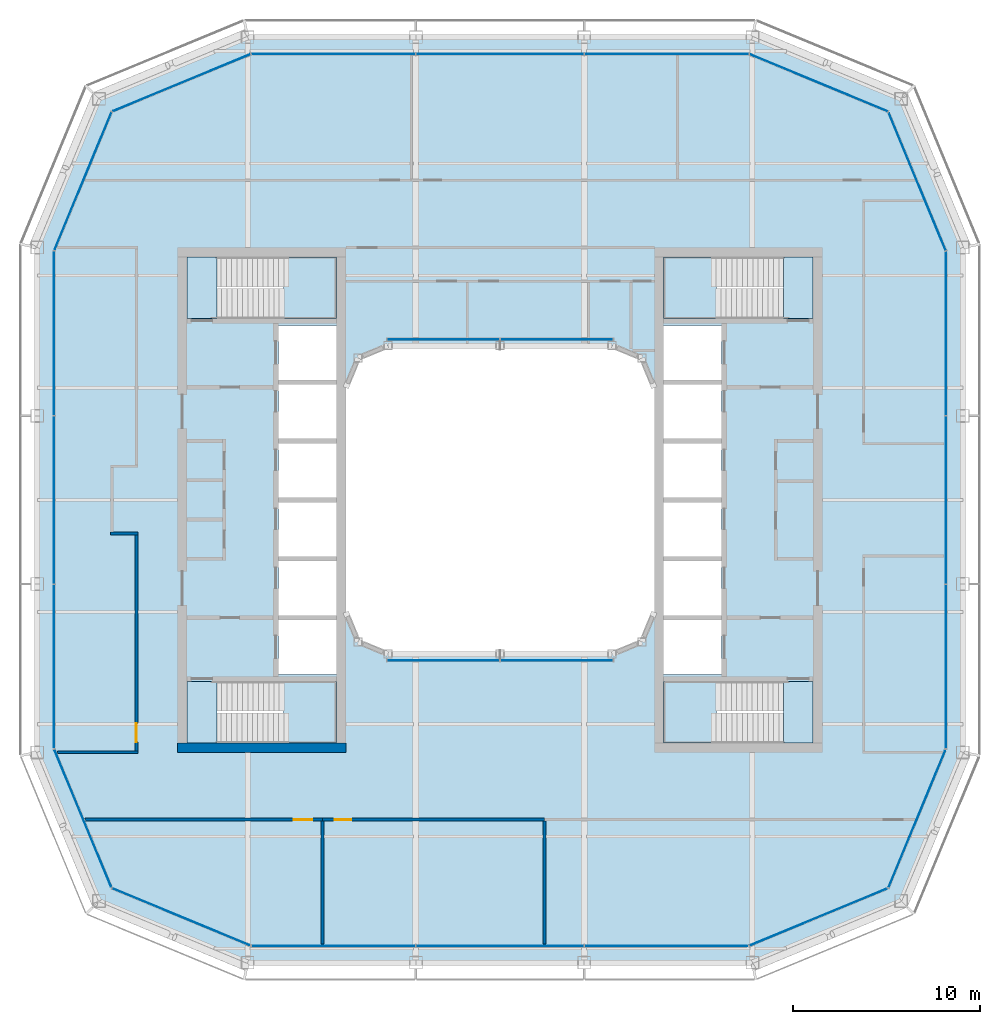
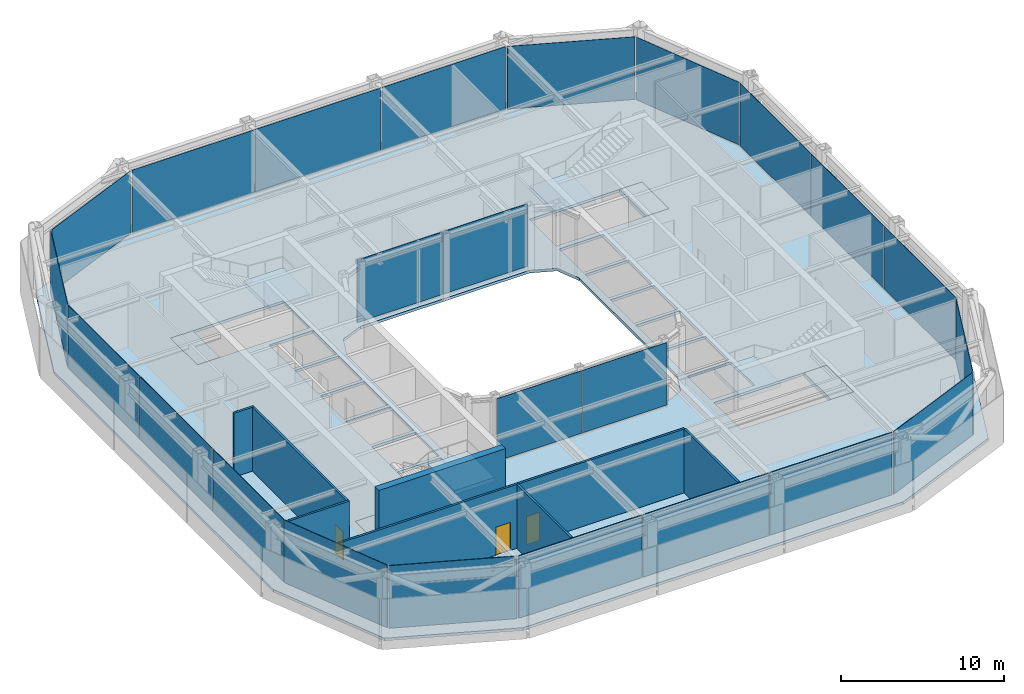
# One storey, part 10 of 17: 24 plates, 9 slabs, 8 walls, 3 doors, 3 openings, 18 elements without a shape of their own.
"""IFC4 building model written with IfcOpenShell, lengths in metres."""

from ifc_helpers import new_model, si_unit, direction, frame, frame_2d, origin, origin_2d, place, context, subcontext, project, spatial, polyline, rectangle, outline, extrude, material, layer, layer_set, type_object, element, fill, aggregate, save


model = new_model("IFC4")

# Units and contexts
model_context = context("Model", 3, precision=1e-05, world=origin(), true_north=direction((0.0, 1.0)))
body_context = subcontext(model_context, "Body", "Model", "MODEL_VIEW")
ifc_project = project(units=[si_unit("LENGTHUNIT", "METRE"), si_unit("AREAUNIT", "SQUARE_METRE"), si_unit("VOLUMEUNIT", "CUBIC_METRE"), si_unit("PLANEANGLEUNIT", "RADIAN"), si_unit("MASSUNIT", "GRAM", prefix="KILO")], contexts=[model_context])

# Site, building, storey
site_placement = place(None, origin())
site = spatial("IfcSite", under=ifc_project, at=site_placement, CompositionType="ELEMENT")
building_placement = place(site_placement, origin())
building = spatial("IfcBuilding", under=site, at=building_placement, Name="Siwar Civic Tower", CompositionType="ELEMENT")
storey_placement = place(building_placement, frame((0.0, 0.0, 348.199951171875)))
storey = spatial("IfcBuildingStorey", under=building, at=storey_placement, Name="L75", CompositionType="ELEMENT", Elevation=348.199951171875)

# Stair, slabs
ifc_material_1 = material(Name="Concrete C40/50", Category="concrete")
stair_type = type_object("IfcStairType", Name="CORE-STAIR", PredefinedType="TWO_STRAIGHT_RUN_STAIR", material=ifc_material_1)
stair_1_placement = place(storey_placement, origin())
stair_1 = element("IfcStair", 1, at=stair_1_placement, inside=storey, type_object=stair_type, Name="Exit stair ST1", PredefinedType="TWO_STRAIGHT_RUN_STAIR")
ifc_material_2 = material(Name="Concrete C40/50", Category="concrete")
ifc_layer_1 = layer(ifc_material_2, 0.300048828125)
ifc_layer_set_1 = layer_set([ifc_layer_1], Name="Concrete C40/50")
slab_type_1 = type_object("IfcSlabType", Name="CORE-STAIR-LANDING", PredefinedType="LANDING", material=ifc_layer_set_1)
slab_1_placement = place(storey_placement, frame((0.0, 0.0, -0.300048828125)))
slab_1 = element("IfcSlab", 2, at=slab_1_placement, type_object=slab_type_1, Name="ST1 landing 1", PredefinedType="LANDING", context=body_context, shape_type="SweptSolid", body=[
    extrude(outline(polyline([(-15.14990234375, 13.0), (-16.75, 13.0), (-16.75, 9.699951171875), (-15.14990234375, 9.699951171875), (-15.14990234375, 13.0)])), origin(), (0.0, 0.0, 1.0), 0.300048828125),
])
slab_2_placement = place(storey_placement, frame((0.0, 0.0, 2.199951171875)))
slab_2 = element("IfcSlab", 3, at=slab_2_placement, type_object=slab_type_1, Name="ST1 landing 2", PredefinedType="LANDING", context=body_context, shape_type="SweptSolid", body=[
    extrude(outline(polyline([(-8.75, 13.0), (-11.580078125, 13.0), (-11.580078125, 9.699951171875), (-8.75, 9.699951171875), (-8.75, 13.0)])), origin(), (0.0, 0.0, 1.0), 0.300048828125),
])
aggregate(stair_1, [slab_1, slab_2])

stair_2_placement = place(storey_placement, origin())
stair_2 = element("IfcStair", 4, at=stair_2_placement, inside=storey, type_object=stair_type, Name="Exit stair ST2", PredefinedType="TWO_STRAIGHT_RUN_STAIR")
slab_3_placement = place(storey_placement, frame((0.0, 0.0, -0.300048828125)))
slab_3 = element("IfcSlab", 5, at=slab_3_placement, type_object=slab_type_1, Name="ST2 landing 1", PredefinedType="LANDING", context=body_context, shape_type="SweptSolid", body=[
    extrude(outline(polyline([(-15.14990234375, -9.699951171875), (-16.75, -9.699951171875), (-16.75, -13.0), (-15.14990234375, -13.0), (-15.14990234375, -9.699951171875)])), origin(), (0.0, 0.0, 1.0), 0.300048828125),
])
slab_4_placement = place(storey_placement, frame((0.0, 0.0, 2.199951171875)))
slab_4 = element("IfcSlab", 6, at=slab_4_placement, type_object=slab_type_1, Name="ST2 landing 2", PredefinedType="LANDING", context=body_context, shape_type="SweptSolid", body=[
    extrude(outline(polyline([(-8.75, -9.699951171875), (-11.580078125, -9.699951171875), (-11.580078125, -13.0), (-8.75, -13.0), (-8.75, -9.699951171875)])), origin(), (0.0, 0.0, 1.0), 0.300048828125),
])
aggregate(stair_2, [slab_3, slab_4])

stair_3_placement = place(storey_placement, origin())
stair_3 = element("IfcStair", 7, at=stair_3_placement, inside=storey, type_object=stair_type, Name="Exit stair ST3", PredefinedType="TWO_STRAIGHT_RUN_STAIR")
slab_5_placement = place(storey_placement, frame((0.0, 0.0, -0.300048828125)))
slab_5 = element("IfcSlab", 8, at=slab_5_placement, type_object=slab_type_1, Name="ST3 landing 1", PredefinedType="LANDING", context=body_context, shape_type="SweptSolid", body=[
    extrude(outline(polyline([(15.14990234375, 9.699951171875), (16.75, 9.699951171875), (16.75, 13.0), (15.14990234375, 13.0), (15.14990234375, 9.699951171875)])), origin(), (0.0, 0.0, 1.0), 0.300048828125),
])
slab_6_placement = place(storey_placement, frame((0.0, 0.0, 2.199951171875)))
slab_6 = element("IfcSlab", 9, at=slab_6_placement, type_object=slab_type_1, Name="ST3 landing 2", PredefinedType="LANDING", context=body_context, shape_type="SweptSolid", body=[
    extrude(outline(polyline([(8.75, 9.699951171875), (11.580078125, 9.699951171875), (11.580078125, 13.0), (8.75, 13.0), (8.75, 9.699951171875)])), origin(), (0.0, 0.0, 1.0), 0.300048828125),
])
aggregate(stair_3, [slab_5, slab_6])

stair_4_placement = place(storey_placement, origin())
stair_4 = element("IfcStair", 10, at=stair_4_placement, inside=storey, type_object=stair_type, Name="Exit stair ST4", PredefinedType="TWO_STRAIGHT_RUN_STAIR")
slab_7_placement = place(storey_placement, frame((0.0, 0.0, -0.300048828125)))
slab_7 = element("IfcSlab", 11, at=slab_7_placement, type_object=slab_type_1, Name="ST4 landing 1", PredefinedType="LANDING", context=body_context, shape_type="SweptSolid", body=[
    extrude(outline(polyline([(15.14990234375, -13.0), (16.75, -13.0), (16.75, -9.699951171875), (15.14990234375, -9.699951171875), (15.14990234375, -13.0)])), origin(), (0.0, 0.0, 1.0), 0.300048828125),
])
slab_8_placement = place(storey_placement, frame((0.0, 0.0, 2.199951171875)))
slab_8 = element("IfcSlab", 12, at=slab_8_placement, type_object=slab_type_1, Name="ST4 landing 2", PredefinedType="LANDING", context=body_context, shape_type="SweptSolid", body=[
    extrude(outline(polyline([(8.75, -13.0), (11.580078125, -13.0), (11.580078125, -9.699951171875), (8.75, -9.699951171875), (8.75, -13.0)])), origin(), (0.0, 0.0, 1.0), 0.300048828125),
])
aggregate(stair_4, [slab_7, slab_8])

# Curtain wall, plates
ifc_material_3 = material(Name="Aluminium and glass", Category="aluminium")
ifc_layer_2 = layer(ifc_material_3, 0.159912109375)
ifc_layer_set_2 = layer_set([ifc_layer_2], Name="Aluminium and glass")
curtain_wall_type_1 = type_object("IfcCurtainWallType", Name="ENV-CW-D", PredefinedType="NOTDEFINED", material=ifc_layer_set_2)
curtain_wall_1_placement = place(storey_placement, origin())
curtain_wall_1 = element("IfcCurtainWall", 13, at=curtain_wall_1_placement, inside=storey, type_object=curtain_wall_type_1, Name="Curtain wall D S", PredefinedType="NOTDEFINED")
ifc_material_4 = material(Name="Glass clear laminated", Category="glass")
ifc_layer_3 = layer(ifc_material_4, 0.030029296875)
ifc_layer_set_3 = layer_set([ifc_layer_3], Name="Glass clear laminated")
plate_type_1 = type_object("IfcPlateType", Name="ENV-PANEL-D", PredefinedType="CURTAIN_PANEL", material=ifc_layer_set_3)
plate_1_placement = place(storey_placement, frame((-8.910400390625, -23.85009765625, 0.10009765625), z_axis=(0.0, 0.0, 1.0), x_axis=(1.0, 0.0, 0.0)))
plate_1 = element("IfcPlate", 14, at=plate_1_placement, type_object=plate_type_1, Name="Curtain panel D S 1", PredefinedType="CURTAIN_PANEL", context=body_context, shape_type="SweptSolid", body=[
    extrude(rectangle(XDim=8.760986328125, YDim=0.030029296875, at=origin_2d()), origin(), (0.0, 0.0, 1.0), 4.699951171875),
])
plate_2_placement = place(storey_placement, frame((0.0, -23.85009765625, 0.10009765625), z_axis=(0.0, 0.0, 1.0), x_axis=(1.0, 0.0, 0.0)))
plate_2 = element("IfcPlate", 15, at=plate_2_placement, type_object=plate_type_1, Name="Curtain panel D S 2", PredefinedType="CURTAIN_PANEL", context=body_context, shape_type="SweptSolid", body=[
    extrude(rectangle(XDim=8.93994140625, YDim=0.030029296875, at=origin_2d()), origin(), (0.0, 0.0, 1.0), 4.699951171875),
])
plate_3_placement = place(storey_placement, frame((8.876708984375, -23.85009765625, 0.10009765625), z_axis=(0.0, 0.0, 1.0), x_axis=(1.0, 0.0, 0.0)))
plate_3 = element("IfcPlate", 16, at=plate_3_placement, type_object=plate_type_1, Name="Curtain panel D S 3", PredefinedType="CURTAIN_PANEL", context=body_context, shape_type="SweptSolid", body=[
    extrude(rectangle(XDim=8.693115234375, YDim=0.030029296875, at=origin_2d()), origin(), (0.0, 0.0, 1.0), 4.699951171875),
])
aggregate(curtain_wall_1, [plate_1, plate_2, plate_3])

curtain_wall_2_placement = place(storey_placement, origin())
curtain_wall_2 = element("IfcCurtainWall", 17, at=curtain_wall_2_placement, inside=storey, type_object=curtain_wall_type_1, Name="Curtain wall D E", PredefinedType="NOTDEFINED")
plate_4_placement = place(storey_placement, frame((23.85009765625, -8.910400390625, 0.10009765625), z_axis=(0.0, 0.0, 1.0), x_axis=(0.0, 1.0, 0.0)))
plate_4 = element("IfcPlate", 18, at=plate_4_placement, type_object=plate_type_1, Name="Curtain panel D E 1", PredefinedType="CURTAIN_PANEL", context=body_context, shape_type="SweptSolid", body=[
    extrude(rectangle(XDim=8.760986328125, YDim=0.030029296875, at=origin_2d()), origin(), (0.0, 0.0, 1.0), 4.699951171875),
])
plate_5_placement = place(storey_placement, frame((23.85009765625, 0.0, 0.10009765625), z_axis=(0.0, 0.0, 1.0), x_axis=(0.0, 1.0, 0.0)))
plate_5 = element("IfcPlate", 19, at=plate_5_placement, type_object=plate_type_1, Name="Curtain panel D E 2", PredefinedType="CURTAIN_PANEL", context=body_context, shape_type="SweptSolid", body=[
    extrude(rectangle(XDim=8.93994140625, YDim=0.030029296875, at=origin_2d()), origin(), (0.0, 0.0, 1.0), 4.699951171875),
])
plate_6_placement = place(storey_placement, frame((23.85009765625, 8.876708984375, 0.10009765625), z_axis=(0.0, 0.0, 1.0), x_axis=(0.0, 1.0, 0.0)))
plate_6 = element("IfcPlate", 20, at=plate_6_placement, type_object=plate_type_1, Name="Curtain panel D E 3", PredefinedType="CURTAIN_PANEL", context=body_context, shape_type="SweptSolid", body=[
    extrude(rectangle(XDim=8.693115234375, YDim=0.030029296875, at=origin_2d()), origin(), (0.0, 0.0, 1.0), 4.699951171875),
])
aggregate(curtain_wall_2, [plate_4, plate_5, plate_6])

curtain_wall_3_placement = place(storey_placement, origin())
curtain_wall_3 = element("IfcCurtainWall", 21, at=curtain_wall_3_placement, inside=storey, type_object=curtain_wall_type_1, Name="Curtain wall D N", PredefinedType="NOTDEFINED")
plate_7_placement = place(storey_placement, frame((8.910400390625, 23.85009765625, 0.10009765625), z_axis=(0.0, 0.0, 1.0), x_axis=(-1.0, 0.0, 0.0)))
plate_7 = element("IfcPlate", 22, at=plate_7_placement, type_object=plate_type_1, Name="Curtain panel D N 1", PredefinedType="CURTAIN_PANEL", context=body_context, shape_type="SweptSolid", body=[
    extrude(rectangle(XDim=8.760986328125, YDim=0.030029296875, at=origin_2d()), origin(), (0.0, 0.0, 1.0), 4.699951171875),
])
plate_8_placement = place(storey_placement, frame((0.0, 23.85009765625, 0.10009765625), z_axis=(0.0, 0.0, 1.0), x_axis=(-1.0, 0.0, 0.0)))
plate_8 = element("IfcPlate", 23, at=plate_8_placement, type_object=plate_type_1, Name="Curtain panel D N 2", PredefinedType="CURTAIN_PANEL", context=body_context, shape_type="SweptSolid", body=[
    extrude(rectangle(XDim=8.93994140625, YDim=0.030029296875, at=origin_2d()), origin(), (0.0, 0.0, 1.0), 4.699951171875),
])
plate_9_placement = place(storey_placement, frame((-8.876708984375, 23.85009765625, 0.10009765625), z_axis=(0.0, 0.0, 1.0), x_axis=(-1.0, 0.0, 0.0)))
plate_9 = element("IfcPlate", 24, at=plate_9_placement, type_object=plate_type_1, Name="Curtain panel D N 3", PredefinedType="CURTAIN_PANEL", context=body_context, shape_type="SweptSolid", body=[
    extrude(rectangle(XDim=8.693115234375, YDim=0.030029296875, at=origin_2d()), origin(), (0.0, 0.0, 1.0), 4.699951171875),
])
aggregate(curtain_wall_3, [plate_7, plate_8, plate_9])

curtain_wall_4_placement = place(storey_placement, origin())
curtain_wall_4 = element("IfcCurtainWall", 25, at=curtain_wall_4_placement, inside=storey, type_object=curtain_wall_type_1, Name="Curtain wall D W", PredefinedType="NOTDEFINED")
plate_10_placement = place(storey_placement, frame((-23.85009765625, 8.910400390625, 0.10009765625), z_axis=(0.0, 0.0, 1.0), x_axis=(0.0, -1.0, 0.0)))
plate_10 = element("IfcPlate", 26, at=plate_10_placement, type_object=plate_type_1, Name="Curtain panel D W 1", PredefinedType="CURTAIN_PANEL", context=body_context, shape_type="SweptSolid", body=[
    extrude(rectangle(XDim=8.760986328125, YDim=0.030029296875, at=origin_2d()), origin(), (0.0, 0.0, 1.0), 4.699951171875),
])
plate_11_placement = place(storey_placement, frame((-23.85009765625, 0.0, 0.10009765625), z_axis=(0.0, 0.0, 1.0), x_axis=(0.0, -1.0, 0.0)))
plate_11 = element("IfcPlate", 27, at=plate_11_placement, type_object=plate_type_1, Name="Curtain panel D W 2", PredefinedType="CURTAIN_PANEL", context=body_context, shape_type="SweptSolid", body=[
    extrude(rectangle(XDim=8.93994140625, YDim=0.030029296875, at=origin_2d()), origin(), (0.0, 0.0, 1.0), 4.699951171875),
])
plate_12_placement = place(storey_placement, frame((-23.85009765625, -8.876708984375, 0.10009765625), z_axis=(0.0, 0.0, 1.0), x_axis=(0.0, -1.0, 0.0)))
plate_12 = element("IfcPlate", 28, at=plate_12_placement, type_object=plate_type_1, Name="Curtain panel D W 3", PredefinedType="CURTAIN_PANEL", context=body_context, shape_type="SweptSolid", body=[
    extrude(rectangle(XDim=8.693115234375, YDim=0.030029296875, at=origin_2d()), origin(), (0.0, 0.0, 1.0), 4.699951171875),
])
aggregate(curtain_wall_4, [plate_10, plate_11, plate_12])

# Curtain wall, plate
ifc_material_5 = material(Name="Aluminium clad insulated panel", Category="aluminium")
ifc_layer_4 = layer(ifc_material_5, 0.159912109375)
ifc_layer_set_4 = layer_set([ifc_layer_4], Name="Aluminium clad insulated panel")
curtain_wall_type_2 = type_object("IfcCurtainWallType", Name="ENV-CW-DX", PredefinedType="NOTDEFINED", material=ifc_layer_set_4)
curtain_wall_5_placement = place(storey_placement, origin())
curtain_wall_5 = element("IfcCurtainWall", 29, at=curtain_wall_5_placement, inside=storey, type_object=curtain_wall_type_2, Name="Curtain wall D SE1", PredefinedType="NOTDEFINED")
ifc_material_6 = material(Name="Aluminium clad insulated panel", Category="aluminium")
ifc_layer_5 = layer(ifc_material_6, 0.030029296875)
ifc_layer_set_5 = layer_set([ifc_layer_5], Name="Aluminium clad insulated panel")
plate_type_2 = type_object("IfcPlateType", Name="ENV-PANEL-DX", PredefinedType="CURTAIN_PANEL", material=ifc_layer_set_5)
plate_13_placement = place(storey_placement, frame((17.01220703125, -22.321044921875, 0.10009765625), z_axis=(0.0, 0.0, 1.0), x_axis=(0.923879532511, 0.382683432365, 0.0)))
plate_13 = element("IfcPlate", 30, at=plate_13_placement, type_object=plate_type_2, Name="Curtain panel D SE1 1", PredefinedType="CURTAIN_PANEL", context=body_context, shape_type="SweptSolid", body=[
    extrude(rectangle(XDim=7.9306640625, YDim=0.030029296875, at=origin_2d()), origin(), (0.0, 0.0, 1.0), 4.699951171875),
])
aggregate(curtain_wall_5, [plate_13])

curtain_wall_6_placement = place(storey_placement, origin())
curtain_wall_6 = element("IfcCurtainWall", 31, at=curtain_wall_6_placement, inside=storey, type_object=curtain_wall_type_2, Name="Curtain wall D SE2", PredefinedType="NOTDEFINED")
plate_14_placement = place(storey_placement, frame((22.295166015625, -17.074951171875, 0.10009765625), z_axis=(0.0, 0.0, 1.0), x_axis=(0.382683432365, 0.923879532511, 0.0)))
plate_14 = element("IfcPlate", 32, at=plate_14_placement, type_object=plate_type_2, Name="Curtain panel D SE2 1", PredefinedType="CURTAIN_PANEL", context=body_context, shape_type="SweptSolid", body=[
    extrude(rectangle(XDim=7.9306640625, YDim=0.030029296875, at=origin_2d()), origin(), (0.0, 0.0, 1.0), 4.699951171875),
])
aggregate(curtain_wall_6, [plate_14])

curtain_wall_7_placement = place(storey_placement, origin())
curtain_wall_7 = element("IfcCurtainWall", 33, at=curtain_wall_7_placement, inside=storey, type_object=curtain_wall_type_2, Name="Curtain wall D NE1", PredefinedType="NOTDEFINED")
plate_15_placement = place(storey_placement, frame((22.321044921875, 17.01220703125, 0.10009765625), z_axis=(0.0, 0.0, 1.0), x_axis=(-0.382683432365, 0.923879532511, 0.0)))
plate_15 = element("IfcPlate", 34, at=plate_15_placement, type_object=plate_type_2, Name="Curtain panel D NE1 1", PredefinedType="CURTAIN_PANEL", context=body_context, shape_type="SweptSolid", body=[
    extrude(rectangle(XDim=7.9306640625, YDim=0.030029296875, at=origin_2d()), origin(), (0.0, 0.0, 1.0), 4.699951171875),
])
aggregate(curtain_wall_7, [plate_15])

curtain_wall_8_placement = place(storey_placement, origin())
curtain_wall_8 = element("IfcCurtainWall", 35, at=curtain_wall_8_placement, inside=storey, type_object=curtain_wall_type_2, Name="Curtain wall D NE2", PredefinedType="NOTDEFINED")
plate_16_placement = place(storey_placement, frame((17.074951171875, 22.295166015625, 0.10009765625), z_axis=(0.0, 0.0, 1.0), x_axis=(-0.923879532511, 0.382683432365, 0.0)))
plate_16 = element("IfcPlate", 36, at=plate_16_placement, type_object=plate_type_2, Name="Curtain panel D NE2 1", PredefinedType="CURTAIN_PANEL", context=body_context, shape_type="SweptSolid", body=[
    extrude(rectangle(XDim=7.9306640625, YDim=0.030029296875, at=origin_2d()), origin(), (0.0, 0.0, 1.0), 4.699951171875),
])
aggregate(curtain_wall_8, [plate_16])

curtain_wall_9_placement = place(storey_placement, origin())
curtain_wall_9 = element("IfcCurtainWall", 37, at=curtain_wall_9_placement, inside=storey, type_object=curtain_wall_type_2, Name="Curtain wall D NW1", PredefinedType="NOTDEFINED")
plate_17_placement = place(storey_placement, frame((-17.01220703125, 22.321044921875, 0.10009765625), z_axis=(0.0, 0.0, 1.0), x_axis=(-0.923879532511, -0.382683432365, 0.0)))
plate_17 = element("IfcPlate", 38, at=plate_17_placement, type_object=plate_type_2, Name="Curtain panel D NW1 1", PredefinedType="CURTAIN_PANEL", context=body_context, shape_type="SweptSolid", body=[
    extrude(rectangle(XDim=7.9306640625, YDim=0.030029296875, at=origin_2d()), origin(), (0.0, 0.0, 1.0), 4.699951171875),
])
aggregate(curtain_wall_9, [plate_17])

curtain_wall_10_placement = place(storey_placement, origin())
curtain_wall_10 = element("IfcCurtainWall", 39, at=curtain_wall_10_placement, inside=storey, type_object=curtain_wall_type_2, Name="Curtain wall D NW2", PredefinedType="NOTDEFINED")
plate_18_placement = place(storey_placement, frame((-22.295166015625, 17.074951171875, 0.10009765625), z_axis=(0.0, 0.0, 1.0), x_axis=(-0.382683432365, -0.923879532511, 0.0)))
plate_18 = element("IfcPlate", 40, at=plate_18_placement, type_object=plate_type_2, Name="Curtain panel D NW2 1", PredefinedType="CURTAIN_PANEL", context=body_context, shape_type="SweptSolid", body=[
    extrude(rectangle(XDim=7.9306640625, YDim=0.030029296875, at=origin_2d()), origin(), (0.0, 0.0, 1.0), 4.699951171875),
])
aggregate(curtain_wall_10, [plate_18])

curtain_wall_11_placement = place(storey_placement, origin())
curtain_wall_11 = element("IfcCurtainWall", 41, at=curtain_wall_11_placement, inside=storey, type_object=curtain_wall_type_2, Name="Curtain wall D SW1", PredefinedType="NOTDEFINED")
plate_19_placement = place(storey_placement, frame((-22.321044921875, -17.01220703125, 0.10009765625), z_axis=(0.0, 0.0, 1.0), x_axis=(0.382683432365, -0.923879532511, 0.0)))
plate_19 = element("IfcPlate", 42, at=plate_19_placement, type_object=plate_type_2, Name="Curtain panel D SW1 1", PredefinedType="CURTAIN_PANEL", context=body_context, shape_type="SweptSolid", body=[
    extrude(rectangle(XDim=7.9306640625, YDim=0.030029296875, at=origin_2d()), origin(), (0.0, 0.0, 1.0), 4.699951171875),
])
aggregate(curtain_wall_11, [plate_19])

curtain_wall_12_placement = place(storey_placement, origin())
curtain_wall_12 = element("IfcCurtainWall", 43, at=curtain_wall_12_placement, inside=storey, type_object=curtain_wall_type_2, Name="Curtain wall D SW2", PredefinedType="NOTDEFINED")
plate_20_placement = place(storey_placement, frame((-17.074951171875, -22.295166015625, 0.10009765625), z_axis=(0.0, 0.0, 1.0), x_axis=(0.923879532511, -0.382683432365, 0.0)))
plate_20 = element("IfcPlate", 44, at=plate_20_placement, type_object=plate_type_2, Name="Curtain panel D SW2 1", PredefinedType="CURTAIN_PANEL", context=body_context, shape_type="SweptSolid", body=[
    extrude(rectangle(XDim=7.9306640625, YDim=0.030029296875, at=origin_2d()), origin(), (0.0, 0.0, 1.0), 4.699951171875),
])
aggregate(curtain_wall_12, [plate_20])

# Curtain wall, plates
ifc_material_7 = material(Name="Aluminium and glass", Category="aluminium")
ifc_layer_6 = layer(ifc_material_7, 0.179931640625)
ifc_layer_set_6 = layer_set([ifc_layer_6], Name="Aluminium and glass")
curtain_wall_type_3 = type_object("IfcCurtainWallType", Name="ENV-CW-W", PredefinedType="NOTDEFINED", material=ifc_layer_set_6)
curtain_wall_13_placement = place(storey_placement, origin())
curtain_wall_13 = element("IfcCurtainWall", 45, at=curtain_wall_13_placement, inside=storey, type_object=curtain_wall_type_3, Name="Curtain wall W WS", PredefinedType="NOTDEFINED")
ifc_material_8 = material(Name="Glass clear laminated", Category="glass")
ifc_layer_7 = layer(ifc_material_8, 0.031982421875)
ifc_layer_set_7 = layer_set([ifc_layer_7], Name="Glass clear laminated")
plate_type_3 = type_object("IfcPlateType", Name="ENV-PANEL-W", PredefinedType="CURTAIN_PANEL", material=ifc_layer_set_7)
plate_21_placement = place(storey_placement, frame((-3.033203125, -8.5849609375, 0.10009765625), z_axis=(0.0, 0.0, 1.0), x_axis=(1.0, 0.0, 0.0)))
plate_21 = element("IfcPlate", 46, at=plate_21_placement, type_object=plate_type_3, Name="Curtain panel W WS 1", PredefinedType="CURTAIN_PANEL", context=body_context, shape_type="SweptSolid", body=[
    extrude(rectangle(XDim=6.006591796875, YDim=0.031982421875, at=origin_2d()), origin(), (0.0, 0.0, 1.0), 4.699951171875),
])
plate_22_placement = place(storey_placement, frame((3.033203125, -8.5849609375, 0.10009765625), z_axis=(0.0, 0.0, 1.0), x_axis=(1.0, 0.0, 0.0)))
plate_22 = element("IfcPlate", 47, at=plate_22_placement, type_object=plate_type_3, Name="Curtain panel W WS 2", PredefinedType="CURTAIN_PANEL", context=body_context, shape_type="SweptSolid", body=[
    extrude(rectangle(XDim=6.006591796875, YDim=0.031982421875, at=origin_2d()), origin(), (0.0, 0.0, 1.0), 4.699951171875),
])
aggregate(curtain_wall_13, [plate_21, plate_22])

curtain_wall_14_placement = place(storey_placement, origin())
curtain_wall_14 = element("IfcCurtainWall", 48, at=curtain_wall_14_placement, inside=storey, type_object=curtain_wall_type_3, Name="Curtain wall W WN", PredefinedType="NOTDEFINED")
plate_23_placement = place(storey_placement, frame((3.033203125, 8.5849609375, 0.10009765625), z_axis=(0.0, 0.0, 1.0), x_axis=(-1.0, 0.0, 0.0)))
plate_23 = element("IfcPlate", 49, at=plate_23_placement, type_object=plate_type_3, Name="Curtain panel W WN 1", PredefinedType="CURTAIN_PANEL", context=body_context, shape_type="SweptSolid", body=[
    extrude(rectangle(XDim=6.006591796875, YDim=0.031982421875, at=origin_2d()), origin(), (0.0, 0.0, 1.0), 4.699951171875),
])
plate_24_placement = place(storey_placement, frame((-3.033203125, 8.5849609375, 0.10009765625), z_axis=(0.0, 0.0, 1.0), x_axis=(-1.0, 0.0, 0.0)))
plate_24 = element("IfcPlate", 50, at=plate_24_placement, type_object=plate_type_3, Name="Curtain panel W WN 2", PredefinedType="CURTAIN_PANEL", context=body_context, shape_type="SweptSolid", body=[
    extrude(rectangle(XDim=6.006591796875, YDim=0.031982421875, at=origin_2d()), origin(), (0.0, 0.0, 1.0), 4.699951171875),
])
aggregate(curtain_wall_14, [plate_23, plate_24])

# Slab
ifc_material_9 = material(Name="Concrete C40/50", Category="concrete")
ifc_layer_8 = layer(ifc_material_9, 0.199951171875)
ifc_layer_set_8 = layer_set([ifc_layer_8], Name="Concrete C40/50")
slab_type_2 = type_object("IfcSlabType", Name="STR-FLOOR-DECK-200", PredefinedType="FLOOR", material=ifc_layer_set_8)
slab_9_placement = place(storey_placement, frame((0.0, 0.0, -0.199951171875)))
element("IfcSlab", 51, at=slab_9_placement, inside=storey, type_object=slab_type_2, Name="L75/slab/1", PredefinedType="FLOOR", context=body_context, shape_type="SweptSolid", body=[
    extrude(outline(polyline([(-13.5, -24.75), (13.5, -24.75), (21.454833984375, -21.454833984375), (24.75, -13.5), (24.75, 13.5), (21.454833984375, 21.454833984375), (13.5, 24.75), (-13.5, 24.75), (-21.454833984375, 21.454833984375), (-24.75, 13.5), (-24.75, -13.5), (-21.454833984375, -21.454833984375), (-13.5, -24.75)]), holes=[polyline([(16.75, 13.0), (16.75, 9.699951171875), (8.75, 9.699951171875), (8.75, 13.0), (16.75, 13.0)]), polyline([(8.75, -9.699951171875), (16.75, -9.699951171875), (16.75, -13.0), (8.75, -13.0), (8.75, -9.699951171875)]), polyline([(11.85009765625, 9.324951171875), (11.85009765625, 6.425048828125), (8.75, 6.425048828125), (8.75, 9.324951171875), (11.85009765625, 9.324951171875)]), polyline([(8.75, 6.175048828125), (11.85009765625, 6.175048828125), (11.85009765625, 3.27490234375), (8.75, 3.27490234375), (8.75, 6.175048828125)]), polyline([(8.75, 3.02490234375), (11.85009765625, 3.02490234375), (11.85009765625, 0.125), (8.75, 0.125), (8.75, 3.02490234375)]), polyline([(8.75, -0.125), (11.85009765625, -0.125), (11.85009765625, -3.02490234375), (8.75, -3.02490234375), (8.75, -0.125)]), polyline([(8.75, -3.27490234375), (11.85009765625, -3.27490234375), (11.85009765625, -6.175048828125), (8.75, -6.175048828125), (8.75, -3.27490234375)]), polyline([(8.75, -6.425048828125), (11.85009765625, -6.425048828125), (11.85009765625, -9.324951171875), (8.75, -9.324951171875), (8.75, -6.425048828125)]), polyline([(-6.0, 8.25), (6.0, 8.25), (7.591064453125, 7.591064453125), (8.25, 6.0), (8.25, -6.0), (7.591064453125, -7.591064453125), (6.0, -8.25), (-6.0, -8.25), (-7.591064453125, -7.591064453125), (-8.25, -6.0), (-8.25, 6.0), (-7.591064453125, 7.591064453125), (-6.0, 8.25)]), polyline([(-8.75, -13.0), (-16.75, -13.0), (-16.75, -9.699951171875), (-8.75, -9.699951171875), (-8.75, -13.0)]), polyline([(-8.75, 9.699951171875), (-16.75, 9.699951171875), (-16.75, 13.0), (-8.75, 13.0), (-8.75, 9.699951171875)]), polyline([(-8.75, 6.425048828125), (-11.85009765625, 6.425048828125), (-11.85009765625, 9.324951171875), (-8.75, 9.324951171875), (-8.75, 6.425048828125)]), polyline([(-8.75, 3.27490234375), (-11.85009765625, 3.27490234375), (-11.85009765625, 6.175048828125), (-8.75, 6.175048828125), (-8.75, 3.27490234375)]), polyline([(-8.75, 0.125), (-11.85009765625, 0.125), (-11.85009765625, 3.02490234375), (-8.75, 3.02490234375), (-8.75, 0.125)]), polyline([(-8.75, -3.02490234375), (-11.85009765625, -3.02490234375), (-11.85009765625, -0.125), (-8.75, -0.125), (-8.75, -3.02490234375)]), polyline([(-8.75, -6.175048828125), (-11.85009765625, -6.175048828125), (-11.85009765625, -3.27490234375), (-8.75, -3.27490234375), (-8.75, -6.175048828125)]), polyline([(-8.75, -9.324951171875), (-11.85009765625, -9.324951171875), (-11.85009765625, -6.425048828125), (-8.75, -6.425048828125), (-8.75, -9.324951171875)])]), origin(), (0.0, 0.0, 1.0), 0.199951171875),
])

# Wall, opening, door
ifc_material_10 = material(Name="Gypsum board on steel studs", Category="steel")
ifc_layer_9 = layer(ifc_material_10, 0.14990234375)
ifc_layer_set_9 = layer_set([ifc_layer_9], Name="Gypsum board on steel studs")
wall_type_1 = type_object("IfcWallType", Name="COMPARTMENT PARTITION 150 EI 60", PredefinedType="PARTITIONING", material=ifc_layer_set_9)
wall_1_placement = place(storey_placement, frame((-9.5, -17.10009765625, 0.0), z_axis=(0.0, 0.0, 1.0), x_axis=(1.0, 0.0, 0.0)))
wall_1 = element("IfcWall", 52, at=wall_1_placement, inside=storey, type_object=wall_type_1, Name="L75/wall/P03", PredefinedType="PARTITIONING", context=body_context, shape_type="SweptSolid", body=[
    extrude(rectangle(XDim=11.8798828125, YDim=0.14990234375, at=frame_2d((5.93994140625, 0.0))), origin(), (0.0, 0.0, 1.0), 4.800048828125),
])
opening_1_placement = place(wall_1_placement, frame((0.64990234375, 0.0, 0.0)))
opening_1 = element("IfcOpeningElement", 53, at=opening_1_placement, cuts=wall_1, Name="Opening D4", PredefinedType="OPENING", context=body_context, shape_type="SweptSolid", body=[
    extrude(rectangle(XDim=0.89990234375, YDim=2.10009765625, at=frame_2d((0.449951171875, 1.050048828125))), frame((0.0, 0.0849609375, 0.0), z_axis=(0.0, -1.0, 0.0), x_axis=(1.0, 0.0, 0.0)), (0.0, 0.0, 1.0), 0.169921875),
])
ifc_material_11 = material(Name="Timber, painted", Category="wood")
door_type_1 = type_object("IfcDoorType", Name="DOOR 900 X 2100 FD60", OperationType="SINGLE_SWING_LEFT", PredefinedType="DOOR", material=ifc_material_11)
door_1_placement = place(opening_1_placement, origin())
door_1 = element("IfcDoor", 54, at=door_1_placement, inside=storey, type_object=door_type_1, Name="L75-D05", OperationType="SINGLE_SWING_LEFT", OverallHeight=2.10009765625, OverallWidth=0.89990234375, PredefinedType="DOOR", context=body_context, shape_type="SweptSolid", body=[
    extrude(rectangle(XDim=0.89990234375, YDim=2.10009765625, at=frame_2d((0.449951171875, 1.050048828125))), frame((0.0, 0.02490234375, 0.0), z_axis=(0.0, -1.0, 0.0), x_axis=(1.0, 0.0, 0.0)), (0.0, 0.0, 1.0), 0.050048828125),
])
fill(opening_1, door_1)

# Walls
for number, where, z_axis, x_axis, name in (
    (55, (-9.5, -23.760009765625, 0.0), (0.0, 0.0, 1.0), (0.0, 1.0, 0.0), "L75/wall/P21"),
    (56, (2.3798828125, -23.760009765625, 0.0), (0.0, 0.0, 1.0), (0.0, 1.0, 0.0), "L75/wall/P24"),
):
    element("IfcWall", number, at=place(storey_placement, frame(where, z_axis=z_axis, x_axis=x_axis)), inside=storey, type_object=wall_type_1, Name=name, PredefinedType="PARTITIONING", context=body_context, shape_type="SweptSolid", body=[
        extrude(rectangle(XDim=6.5849609375, YDim=0.14990234375, at=frame_2d((3.29248046875, 0.0))), origin(), (0.0, 0.0, 1.0), 4.800048828125),
    ])
ifc_material_12 = material(Name="Concrete C60/75", Category="concrete")
ifc_layer_10 = layer(ifc_material_12, 0.5)
ifc_layer_set_10 = layer_set([ifc_layer_10], Name="Concrete C60/75")
wall_type_2 = type_object("IfcWallType", Name="CORE-WALL-RC500", PredefinedType="SHEAR", material=ifc_layer_set_10)
wall_2_placement = place(storey_placement, frame((-8.25, -13.25, 0.0), z_axis=(0.0, 0.0, 1.0), x_axis=(-1.0, 0.0, 0.0)))
element("IfcWall", 57, at=wall_2_placement, inside=storey, type_object=wall_type_2, Name="Core wall W", PredefinedType="SHEAR", context=body_context, shape_type="SweptSolid", body=[
    extrude(rectangle(XDim=9.0, YDim=0.5, at=frame_2d((4.5, 0.0))), origin(), (0.0, 0.0, 1.0), 4.800048828125),
])

# Wall, opening, door
ifc_material_13 = material(Name="Gypsum board on steel studs", Category="steel")
ifc_layer_11 = layer(ifc_material_13, 0.14990234375)
ifc_layer_set_11 = layer_set([ifc_layer_11], Name="Gypsum board on steel studs")
wall_type_3 = type_object("IfcWallType", Name="CORRIDOR PARTITION 150 EI 30", PredefinedType="PARTITIONING", material=ifc_layer_set_11)
wall_3_placement = place(storey_placement, frame((-22.18701171875, -17.10009765625, 0.0), z_axis=(0.0, 0.0, 1.0), x_axis=(1.0, 0.0, 0.0)))
wall_3 = element("IfcWall", 58, at=wall_3_placement, inside=storey, type_object=wall_type_3, Name="L75/wall/P01", PredefinedType="PARTITIONING", context=body_context, shape_type="SweptSolid", body=[
    extrude(rectangle(XDim=12.68701171875, YDim=0.14990234375, at=frame_2d((6.343505859375, 0.0))), origin(), (0.0, 0.0, 1.0), 4.800048828125),
])
opening_2_placement = place(wall_3_placement, frame((11.14990234375, 0.0, 0.0)))
opening_2 = element("IfcOpeningElement", 59, at=opening_2_placement, cuts=wall_3, Name="Opening D1", PredefinedType="OPENING", context=body_context, shape_type="SweptSolid", body=[
    extrude(rectangle(XDim=1.0, YDim=2.10009765625, at=frame_2d((0.5, 1.050048828125))), frame((0.0, 0.0849609375, 0.0), z_axis=(0.0, -1.0, 0.0), x_axis=(1.0, 0.0, 0.0)), (0.0, 0.0, 1.0), 0.169921875),
])
ifc_material_14 = material(Name="Timber, painted", Category="wood")
door_type_2 = type_object("IfcDoorType", Name="DOOR 1000 X 2100 FD30", OperationType="SINGLE_SWING_LEFT", PredefinedType="DOOR", material=ifc_material_14)
door_2_placement = place(opening_2_placement, origin())
door_2 = element("IfcDoor", 60, at=door_2_placement, inside=storey, type_object=door_type_2, Name="L75-D04", OperationType="SINGLE_SWING_RIGHT", OverallHeight=2.10009765625, OverallWidth=1.0, PredefinedType="DOOR", context=body_context, shape_type="SweptSolid", body=[
    extrude(rectangle(XDim=1.0, YDim=2.10009765625, at=frame_2d((0.5, 1.050048828125))), frame((0.0, 0.02490234375, 0.0), z_axis=(0.0, -1.0, 0.0), x_axis=(1.0, 0.0, 0.0)), (0.0, 0.0, 1.0), 0.050048828125),
])
fill(opening_2, door_2)

# Walls
wall_4_placement = place(storey_placement, frame((-23.677978515625, -13.5, 0.0), z_axis=(0.0, 0.0, 1.0), x_axis=(1.0, 0.0, 0.0)))
element("IfcWall", 61, at=wall_4_placement, inside=storey, type_object=wall_type_3, Name="L75/wall/P04", PredefinedType="PARTITIONING", context=body_context, shape_type="SweptSolid", body=[
    extrude(rectangle(XDim=4.302978515625, YDim=0.14990234375, at=frame_2d((2.1513671875, 0.0))), origin(), (0.0, 0.0, 1.0), 4.800048828125),
])
wall_5_placement = place(storey_placement, frame((-20.824951171875, -1.800048828125, 0.0), z_axis=(0.0, 0.0, 1.0), x_axis=(1.0, 0.0, 0.0)))
element("IfcWall", 62, at=wall_5_placement, inside=storey, type_object=wall_type_3, Name="L75/wall/P07", PredefinedType="PARTITIONING", context=body_context, shape_type="SweptSolid", body=[
    extrude(rectangle(XDim=1.449951171875, YDim=0.14990234375, at=frame_2d((0.72509765625, 0.0))), origin(), (0.0, 0.0, 1.0), 4.800048828125),
])

# Wall, opening, door
wall_6_placement = place(storey_placement, frame((-19.449951171875, -13.425048828125, 0.0), z_axis=(0.0, 0.0, 1.0), x_axis=(0.0, 1.0, 0.0)))
wall_6 = element("IfcWall", 63, at=wall_6_placement, inside=storey, type_object=wall_type_3, Name="L75/wall/P19", PredefinedType="PARTITIONING", context=body_context, shape_type="SweptSolid", body=[
    extrude(rectangle(XDim=11.550048828125, YDim=0.14990234375, at=frame_2d((5.77490234375, 0.0))), origin(), (0.0, 0.0, 1.0), 4.800048828125),
])
opening_3_placement = place(wall_6_placement, frame((0.47509765625, 0.0, 0.0)))
opening_3 = element("IfcOpeningElement", 64, at=opening_3_placement, cuts=wall_6, Name="Opening D1", PredefinedType="OPENING", context=body_context, shape_type="SweptSolid", body=[
    extrude(rectangle(XDim=1.0, YDim=2.10009765625, at=frame_2d((0.5, 1.050048828125))), frame((0.0, 0.0849609375, 0.0), z_axis=(0.0, -1.0, 0.0), x_axis=(1.0, 0.0, 0.0)), (0.0, 0.0, 1.0), 0.169921875),
])
door_3_placement = place(opening_3_placement, origin())
door_3 = element("IfcDoor", 65, at=door_3_placement, inside=storey, type_object=door_type_2, Name="L75-D12", OperationType="SINGLE_SWING_RIGHT", OverallHeight=2.10009765625, OverallWidth=1.0, PredefinedType="DOOR", context=body_context, shape_type="SweptSolid", body=[
    extrude(rectangle(XDim=1.0, YDim=2.10009765625, at=frame_2d((0.5, 1.050048828125))), frame((0.0, 0.02490234375, 0.0), z_axis=(0.0, -1.0, 0.0), x_axis=(1.0, 0.0, 0.0)), (0.0, 0.0, 1.0), 0.050048828125),
])
fill(opening_3, door_3)

save(model, "model.ifc")
